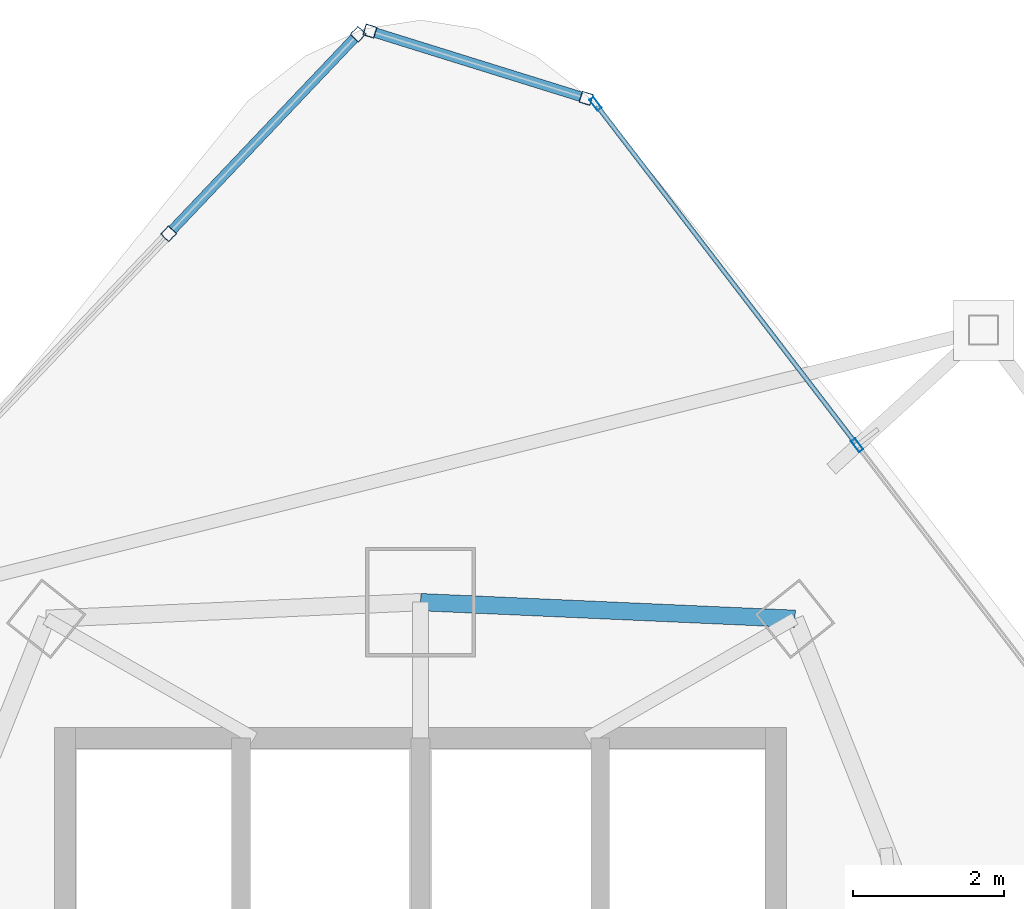
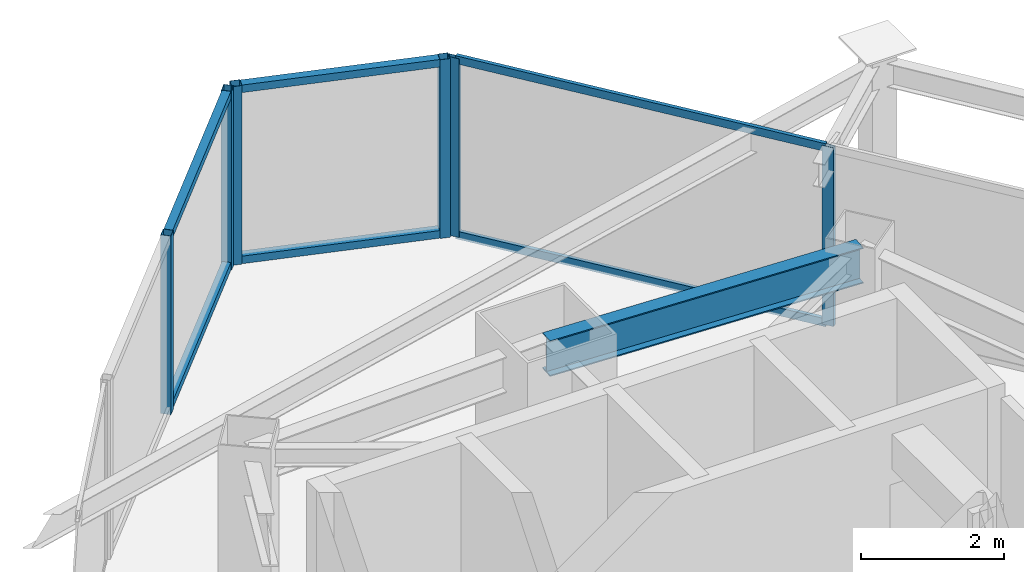
# One storey, part 23 of 31: 12 members, 1 beam, 3 elements without a shape of their own.
"""IFC4 building model written with IfcOpenShell, lengths in metres."""

from ifc_helpers import new_model, si_unit, direction, frame, origin, origin_2d, place, context, subcontext, project, spatial, hollow_rectangle, i_section, extrude, material, layer, layer_set, material_profile, profile_set, type_object, element, aggregate, save


model = new_model("IFC4")

# Units and contexts
model_context = context("Model", 3, precision=1e-05, world=origin(), true_north=direction((0.0, 1.0)))
body_context = subcontext(model_context, "Body", "Model", "MODEL_VIEW")
ifc_project = project(units=[si_unit("LENGTHUNIT", "METRE"), si_unit("AREAUNIT", "SQUARE_METRE"), si_unit("VOLUMEUNIT", "CUBIC_METRE"), si_unit("PLANEANGLEUNIT", "RADIAN"), si_unit("MASSUNIT", "GRAM", prefix="KILO")], contexts=[model_context])

# Site, building, storey
site_placement = place(None, origin())
site = spatial("IfcSite", under=ifc_project, at=site_placement, CompositionType="ELEMENT")
building_placement = place(site_placement, origin())
building = spatial("IfcBuilding", under=site, at=building_placement, Name="Orvanel Arch Residences", CompositionType="ELEMENT")
storey_placement = place(building_placement, frame((0.0, 0.0, 133.10009765625)))
storey = spatial("IfcBuildingStorey", under=building, at=storey_placement, Name="L37", CompositionType="ELEMENT", Elevation=133.10009765625)

# Curtain wall, members
ifc_material_1 = material(Name="Bronze-anodised aluminium AA6063-T6", Category="aluminium")
ifc_layer_1 = layer(ifc_material_1, 0.18994140625)
ifc_layer_set_1 = layer_set([ifc_layer_1], Name="Bronze-anodised aluminium AA6063-T6")
curtain_wall_type_1 = type_object("IfcCurtainWallType", Name="CW5-CRN-SYS", PredefinedType="NOTDEFINED", material=ifc_layer_set_1)
curtain_wall_1_placement = place(storey_placement, origin())
curtain_wall_1 = element("IfcCurtainWall", 1, at=curtain_wall_1_placement, inside=storey, type_object=curtain_wall_type_1, Name="L37 CW5-CRN-SYS Unitised Curtain Wall", PredefinedType="NOTDEFINED")
ifc_material_profile_1 = material_profile(ifc_material_1, hollow_rectangle(XDim=0.14990234375, YDim=0.14990234375, WallThickness=0.0048828125, at=origin_2d()), Name="ALU150x150x5")
ifc_profile_set_1 = profile_set([ifc_material_profile_1], Name="Bronze-anodised aluminium AA6063-T6")
member_type_1 = type_object("IfcMemberType", Name="MUL-150x150", PredefinedType="MULLION", material=ifc_profile_set_1)
member_1_placement = place(storey_placement, frame((35.1884765625, 48.058349609375, 0.0), z_axis=(0.0, 0.0, 1.0), x_axis=(-0.297169694333, -0.954824681693, 0.0)))
member_1 = element("IfcMember", 2, at=member_1_placement, type_object=member_type_1, Name="CW-S5 mullion 1", PredefinedType="MULLION", context=body_context, shape_type="SweptSolid", body=[
    extrude(hollow_rectangle(XDim=0.14990234375, YDim=0.14990234375, WallThickness=0.0048828125, at=origin_2d()), origin(), (0.0, 0.0, 1.0), 3.059814453125),
])
member_2_placement = place(storey_placement, frame((32.33056640625, 48.94775390625, 0.0), z_axis=(0.0, 0.0, 1.0), x_axis=(-0.297169694333, -0.954824681693, 0.0)))
member_2 = element("IfcMember", 3, at=member_2_placement, type_object=member_type_1, Name="CW-S5 mullion 2", PredefinedType="MULLION", context=body_context, shape_type="SweptSolid", body=[
    extrude(hollow_rectangle(XDim=0.14990234375, YDim=0.14990234375, WallThickness=0.0048828125, at=origin_2d()), origin(), (0.0, 0.0, 1.0), 3.059814453125),
])

curtain_wall_2_placement = place(storey_placement, origin())
curtain_wall_2 = element("IfcCurtainWall", 4, at=curtain_wall_2_placement, inside=storey, type_object=curtain_wall_type_1, Name="L37 CW5-CRN-SYS Unitised Curtain Wall", PredefinedType="NOTDEFINED")
member_3_placement = place(storey_placement, frame((32.17431640625, 48.906494140625, 0.0), z_axis=(0.0, 0.0, 1.0), x_axis=(0.725177541449, -0.688561931403, 0.0)))
member_3 = element("IfcMember", 5, at=member_3_placement, type_object=member_type_1, Name="CW-S5 mullion 1", PredefinedType="MULLION", context=body_context, shape_type="SweptSolid", body=[
    extrude(hollow_rectangle(XDim=0.14990234375, YDim=0.14990234375, WallThickness=0.0048828125, at=origin_2d()), origin(), (0.0, 0.0, 1.0), 3.059814453125),
])
member_4_placement = place(storey_placement, frame((29.66845703125, 46.267578125, 0.0), z_axis=(0.0, 0.0, 1.0), x_axis=(0.725177541449, -0.688561931403, 0.0)))
member_4 = element("IfcMember", 6, at=member_4_placement, type_object=member_type_1, Name="CW-S5 mullion 2", PredefinedType="MULLION", context=body_context, shape_type="SweptSolid", body=[
    extrude(hollow_rectangle(XDim=0.14990234375, YDim=0.14990234375, WallThickness=0.0048828125, at=origin_2d()), origin(), (0.0, 0.0, 1.0), 3.059814453125),
])

ifc_layer_2 = layer(ifc_material_1, 0.179931640625)
ifc_layer_set_2 = layer_set([ifc_layer_2], Name="Bronze-anodised aluminium AA6063-T6")
curtain_wall_type_2 = type_object("IfcCurtainWallType", Name="CW3-MID-SYS", PredefinedType="NOTDEFINED", material=ifc_layer_set_2)
curtain_wall_3_placement = place(storey_placement, origin())
curtain_wall_3 = element("IfcCurtainWall", 7, at=curtain_wall_3_placement, inside=storey, type_object=curtain_wall_type_2, Name="L37 CW3-MID-SYS Unitised Curtain Wall", PredefinedType="NOTDEFINED")
ifc_material_profile_2 = material_profile(ifc_material_1, hollow_rectangle(XDim=0.070068359375, YDim=0.179931640625, WallThickness=0.00439453125, at=origin_2d()), Name="ALU180x70x4.5")
ifc_profile_set_2 = profile_set([ifc_material_profile_2], Name="Bronze-anodised aluminium AA6063-T6")
member_type_2 = type_object("IfcMemberType", Name="MUL-180x70", PredefinedType="MULLION", material=ifc_profile_set_2)
member_5_placement = place(storey_placement, frame((38.77197265625, 43.472412109375, 0.0), z_axis=(0.0, 0.0, 1.0), x_axis=(-0.793686048697, -0.608327589465, 0.0)))
member_5 = element("IfcMember", 8, at=member_5_placement, type_object=member_type_2, Name="CW-S3 mullion 3", PredefinedType="MULLION", context=body_context, shape_type="SweptSolid", body=[
    extrude(hollow_rectangle(XDim=0.070068359375, YDim=0.179931640625, WallThickness=0.00439453125, at=origin_2d()), origin(), (0.0, 0.0, 1.0), 3.059814453125),
])
member_6_placement = place(storey_placement, frame((35.312255859375, 47.986328125, 0.0), z_axis=(0.0, 0.0, 1.0), x_axis=(-0.793686048697, -0.608327589465, 0.0)))
member_6 = element("IfcMember", 9, at=member_6_placement, type_object=member_type_2, Name="CW-S3 mullion 4", PredefinedType="MULLION", context=body_context, shape_type="SweptSolid", body=[
    extrude(hollow_rectangle(XDim=0.070068359375, YDim=0.179931640625, WallThickness=0.00439453125, at=origin_2d()), origin(), (0.0, 0.0, 1.0), 3.059814453125),
])

# Beam
ifc_material_2 = material(Name="Structural steel AS/NZS 3679.1 Grade 300 (300 MPa)", Category="steel")
ifc_material_profile_3 = material_profile(ifc_material_2, i_section(OverallWidth=0.22900390625, OverallDepth=0.612060546875, WebThickness=0.011962890625, FlangeThickness=0.01953125, at=origin_2d()), Name="610UB125")
ifc_profile_set_3 = profile_set([ifc_material_profile_3], Name="Structural steel AS/NZS 3679.1 Grade 300 (300 MPa)")
beam_type = type_object("IfcBeamType", Name="SP-610UB", PredefinedType="SPANDREL", material=ifc_profile_set_3)
beam_placement = place(storey_placement, frame((37.949951171875, 41.177978515625, 2.75390625), z_axis=(-0.999014049296, 0.044395149614, 0.0), x_axis=(-0.044395149614, -0.999014049296, 0.0)))
element("IfcBeam", 10, at=beam_placement, inside=storey, type_object=beam_type, Name="L37 Perimeter Spandrel Beam 14", PredefinedType="SPANDREL", context=body_context, shape_type="SweptSolid", body=[
    extrude(i_section(OverallWidth=0.22900390625, OverallDepth=0.612060546875, WebThickness=0.011962890625, FlangeThickness=0.01953125, at=origin_2d()), origin(), (0.0, 0.0, 1.0), 4.954833984375),
])

# Member
ifc_material_profile_4 = material_profile(ifc_material_1, hollow_rectangle(XDim=0.1298828125, YDim=0.1298828125, WallThickness=0.00439453125, at=origin_2d()), Name="ALU130x130x4.5")
ifc_profile_set_4 = profile_set([ifc_material_profile_4], Name="Bronze-anodised aluminium AA6063-T6")
member_type_3 = type_object("IfcMemberType", Name="TRN-130x130", PredefinedType="USERDEFINED", material=ifc_profile_set_4)
member_7_placement = place(storey_placement, frame((35.11669921875, 48.08056640625, 0.06494140625), z_axis=(-0.954806418228, 0.297228369625, 0.0), x_axis=(-0.297228369625, -0.954806418228, 0.0)))
member_7 = element("IfcMember", 11, at=member_7_placement, type_object=member_type_3, Name="CW-S5 transom 1.1", ObjectType="TRANSOM", PredefinedType="USERDEFINED", context=body_context, shape_type="SweptSolid", body=[
    extrude(hollow_rectangle(XDim=0.1298828125, YDim=0.1298828125, WallThickness=0.00439453125, at=origin_2d()), origin(), (0.0, 0.0, 1.0), 2.8427734375),
])

member_8_placement = place(storey_placement, frame((35.11669921875, 48.08056640625, 2.994873046875), z_axis=(-0.954806418228, 0.297228369625, 0.0), x_axis=(-0.297228369625, -0.954806418228, 0.0)))
member_8 = element("IfcMember", 12, at=member_8_placement, type_object=member_type_3, Name="CW-S5 transom 1.2", ObjectType="TRANSOM", PredefinedType="USERDEFINED", context=body_context, shape_type="SweptSolid", body=[
    extrude(hollow_rectangle(XDim=0.1298828125, YDim=0.1298828125, WallThickness=0.00439453125, at=origin_2d()), origin(), (0.0, 0.0, 1.0), 2.8427734375),
])

aggregate(curtain_wall_1, [member_1, member_2, member_7, member_8])

member_9_placement = place(storey_placement, frame((32.122802734375, 48.852294921875, 0.06494140625), z_axis=(-0.688537970858, -0.725200291428, 0.0), x_axis=(0.725200291428, -0.688537970858, 0.0)))
member_9 = element("IfcMember", 13, at=member_9_placement, type_object=member_type_3, Name="CW-S5 transom 1.1", ObjectType="TRANSOM", PredefinedType="USERDEFINED", context=body_context, shape_type="SweptSolid", body=[
    extrude(hollow_rectangle(XDim=0.1298828125, YDim=0.1298828125, WallThickness=0.00439453125, at=origin_2d()), origin(), (0.0, 0.0, 1.0), 3.489501953125),
])

member_10_placement = place(storey_placement, frame((32.122802734375, 48.852294921875, 2.994873046875), z_axis=(-0.688537970858, -0.725200291428, 0.0), x_axis=(0.725200291428, -0.688537970858, 0.0)))
member_10 = element("IfcMember", 14, at=member_10_placement, type_object=member_type_3, Name="CW-S5 transom 1.2", ObjectType="TRANSOM", PredefinedType="USERDEFINED", context=body_context, shape_type="SweptSolid", body=[
    extrude(hollow_rectangle(XDim=0.1298828125, YDim=0.1298828125, WallThickness=0.00439453125, at=origin_2d()), origin(), (0.0, 0.0, 1.0), 3.489501953125),
])

aggregate(curtain_wall_2, [member_3, member_4, member_9, member_10])

ifc_material_profile_5 = material_profile(ifc_material_1, hollow_rectangle(XDim=0.06005859375, YDim=0.135009765625, WallThickness=0.00390625, at=origin_2d()), Name="ALU135x60x4")
ifc_profile_set_5 = profile_set([ifc_material_profile_5], Name="Bronze-anodised aluminium AA6063-T6")
member_type_4 = type_object("IfcMemberType", Name="TRN-135x60", PredefinedType="USERDEFINED", material=ifc_profile_set_5)
member_11_placement = place(storey_placement, frame((38.750732421875, 43.5, 0.02978515625), z_axis=(-0.60832569864, 0.793687497932, 0.0), x_axis=(-0.793687497932, -0.60832569864, 0.0)))
member_11 = element("IfcMember", 15, at=member_11_placement, type_object=member_type_4, Name="CW-S3 transom 3.1", ObjectType="TRANSOM", PredefinedType="USERDEFINED", context=body_context, shape_type="SweptSolid", body=[
    extrude(hollow_rectangle(XDim=0.06005859375, YDim=0.135009765625, WallThickness=0.00390625, at=origin_2d()), origin(), (0.0, 0.0, 1.0), 5.617431640625),
])

member_12_placement = place(storey_placement, frame((38.750732421875, 43.5, 3.02978515625), z_axis=(-0.60832569864, 0.793687497932, 0.0), x_axis=(-0.793687497932, -0.60832569864, 0.0)))
member_12 = element("IfcMember", 16, at=member_12_placement, type_object=member_type_4, Name="CW-S3 transom 3.2", ObjectType="TRANSOM", PredefinedType="USERDEFINED", context=body_context, shape_type="SweptSolid", body=[
    extrude(hollow_rectangle(XDim=0.06005859375, YDim=0.135009765625, WallThickness=0.00390625, at=origin_2d()), origin(), (0.0, 0.0, 1.0), 5.617431640625),
])

aggregate(curtain_wall_3, [member_5, member_6, member_11, member_12])

save(model, "model.ifc")
